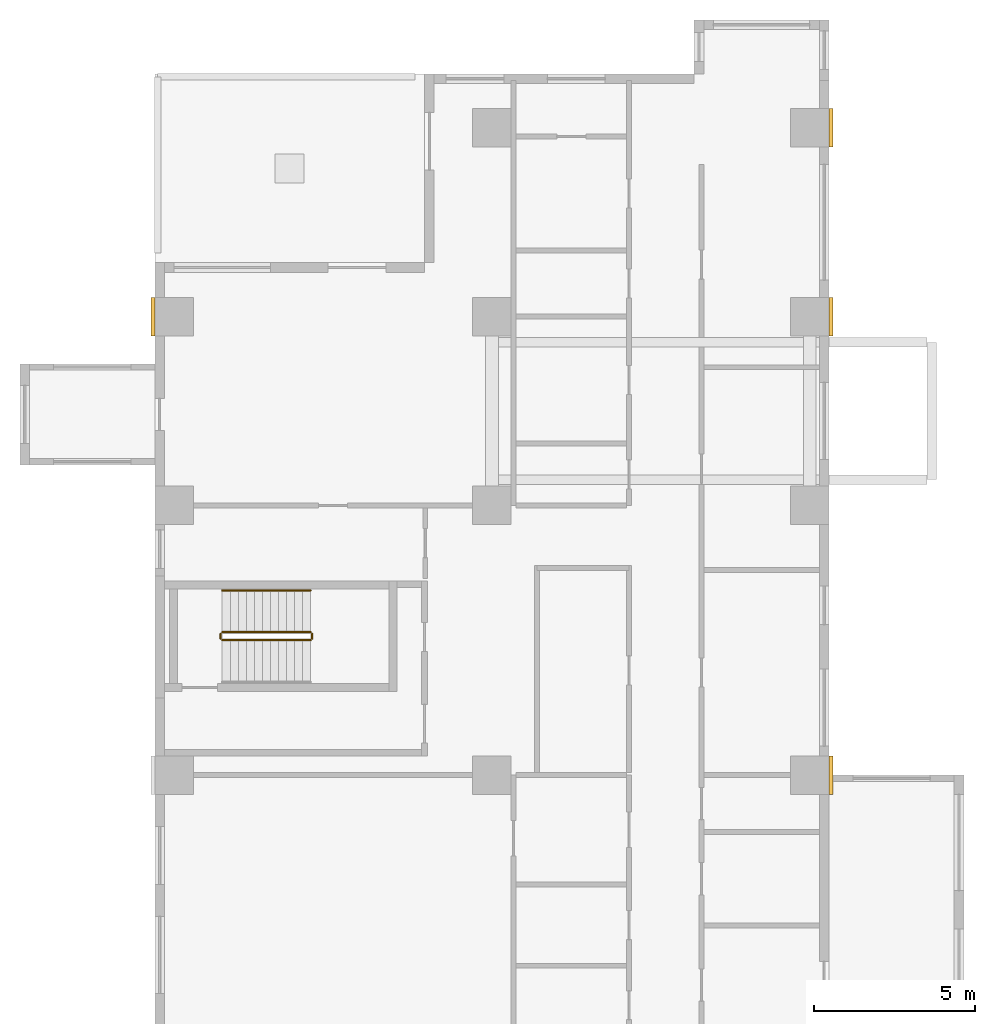
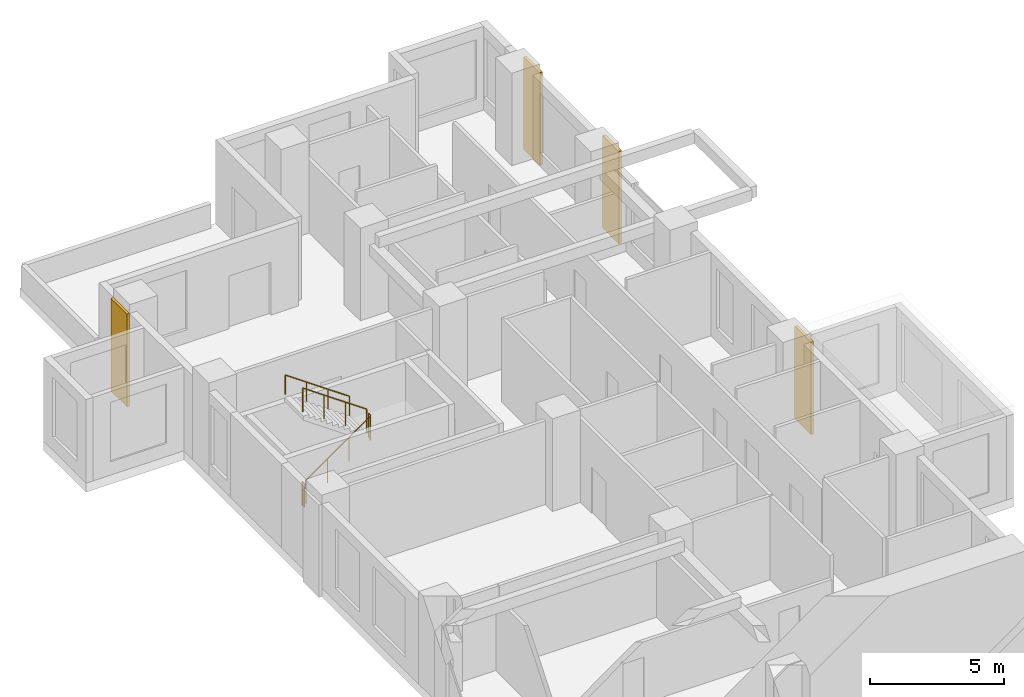
# One storey, part 14 of 15: 5 railings, 4 coverings.
"""IFC4 building model written with IfcOpenShell, lengths in metres."""

from ifc_helpers import new_model, si_unit, direction, frame, origin, origin_2d, place, context, subcontext, project, spatial, rectangle, circle, extrude, source, transform, mapped, material, type_object, element, save


model = new_model("IFC4")

# Units and contexts
model_context = context("Model", 3, precision=1e-05, world=origin(), true_north=direction((0.0, 1.0)))
body_context = subcontext(model_context, "Body", "Model", "MODEL_VIEW")
ifc_project = project(units=[si_unit("LENGTHUNIT", "METRE"), si_unit("AREAUNIT", "SQUARE_METRE"), si_unit("VOLUMEUNIT", "CUBIC_METRE"), si_unit("PLANEANGLEUNIT", "RADIAN"), si_unit("MASSUNIT", "GRAM", prefix="KILO")], contexts=[model_context])

# Site, building, storey
site_placement = place(None, origin())
site = spatial("IfcSite", under=ifc_project, at=site_placement, CompositionType="ELEMENT")
building_placement = place(site_placement, origin())
building = spatial("IfcBuilding", under=site, at=building_placement, Name="Aurelian Terraces", CompositionType="ELEMENT")
storey_placement = place(building_placement, frame((0.0, 0.0, 82.5)))
storey = spatial("IfcBuildingStorey", under=building, at=storey_placement, Name="L17", CompositionType="ELEMENT", Elevation=82.5)

# Coverings
ifc_material_1 = material(Name="Terracotta rainscreen cladding relief", Category="masonry")
covering_type = type_object("IfcCoveringType", Name="BAGUETTE-TC", PredefinedType="CLADDING", material=ifc_material_1)
shared_shape_1 = source(origin(), body_context, "Body", "SweptSolid", [
    extrude(rectangle(XDim=0.12, YDim=1.2, at=origin_2d()), origin(), (0.0, 0.0, 1.0), 4.2),
])
for number, where, z_axis, x_axis, name in (
    (1, (21.06, 37.8, -0.4), (0.0, 0.0, 1.0), (1.0, 0.0, 0.0), "BAGUETTE pier L17 11"),
    (2, (-0.06, 52.08, -0.4), (0.0, 0.0, 1.0), (1.0, 0.0, 0.0), "BAGUETTE pier L17 12"),
    (3, (21.06, 52.08, -0.4), (0.0, 0.0, 1.0), (1.0, 0.0, 0.0), "BAGUETTE pier L17 13"),
    (4, (21.06, 57.96, -0.4), (0.0, 0.0, 1.0), (1.0, 0.0, 0.0), "BAGUETTE pier L17 14"),
):
    element("IfcCovering", number, at=place(storey_placement, frame(where, z_axis=z_axis, x_axis=x_axis)), inside=storey, type_object=covering_type, Name=name, PredefinedType="CLADDING", context=body_context, shape_type="MappedRepresentation", body=[
        mapped(shared_shape_1, transform((0.0, 0.0, 0.0), scale=1.0)),
    ])

# Railings
ifc_material_2 = material(Name="Stainless steel", Category="steel")
railing_type_1 = type_object("IfcRailingType", Name="Stair guard 1100", PredefinedType="GUARDRAIL", material=ifc_material_2)
shared_shape_2 = source(origin(), body_context, "Body", "SweptSolid", [
    extrude(circle(Radius=0.024, at=origin_2d()), frame((0.0, 0.0, 1.076), z_axis=(0.0, 1.0, 0.0), x_axis=(-1.0, 0.0, 0.0)), (0.0, 0.0, 1.0), 0.15),
    extrude(circle(Radius=0.021, at=origin_2d()), origin(), (0.0, 0.0, 1.0), 1.052),
    extrude(circle(Radius=0.021, at=origin_2d()), frame((0.0, 0.15, 0.0)), (0.0, 0.0, 1.0), 1.052),
])
for number, where, name in (
    (5, (4.9, 42.05, 2.1), "L17 S3 stair guard 2"),
    (6, (2.05, 42.05, 0.0), "L17 S3 stair guard 4"),
):
    element("IfcRailing", number, at=place(storey_placement, frame(where)), inside=storey, type_object=railing_type_1, Name=name, PredefinedType="GUARDRAIL", context=body_context, shape_type="MappedRepresentation", body=[
        mapped(shared_shape_2, transform((0.0, 0.0, 0.0), scale=1.0)),
    ])
shared_shape_3 = source(origin(), body_context, "Body", "SweptSolid", [
    extrude(circle(Radius=0.024, at=origin_2d()), frame((0.0, 0.0, 1.076), z_axis=(0.819231920519, 0.0, 0.573462344363), x_axis=(0.0, 1.0, 0.0)), (0.0, 0.0, 1.0), 3.3568),
    extrude(circle(Radius=0.021, at=origin_2d()), origin(), (0.0, 0.0, 1.0), 1.052),
    extrude(circle(Radius=0.021, at=origin_2d()), frame((0.9167, 0.0, 0.6417)), (0.0, 0.0, 1.0), 1.052),
    extrude(circle(Radius=0.021, at=origin_2d()), frame((1.8333, 0.0, 1.2833)), (0.0, 0.0, 1.0), 1.052),
    extrude(circle(Radius=0.021, at=origin_2d()), frame((2.75, 0.0, 1.925)), (0.0, 0.0, 1.0), 1.052),
])
railing_1_placement = place(storey_placement, frame((2.1, 42.0, 0.175)))
element("IfcRailing", 7, at=railing_1_placement, inside=storey, type_object=railing_type_1, Name="L17 S3 stair guard 1", PredefinedType="GUARDRAIL", context=body_context, shape_type="MappedRepresentation", body=[
    mapped(shared_shape_3, transform((0.0, 0.0, 0.0), scale=1.0)),
])
shared_shape_4 = source(origin(), body_context, "Body", "SweptSolid", [
    extrude(circle(Radius=0.024, at=origin_2d()), frame((0.0, 0.0, 1.076), z_axis=(-0.819231920519, 0.0, 0.573462344363), x_axis=(0.0, -1.0, 0.0)), (0.0, 0.0, 1.0), 3.3568),
    extrude(circle(Radius=0.021, at=origin_2d()), origin(), (0.0, 0.0, 1.0), 1.052),
    extrude(circle(Radius=0.021, at=origin_2d()), frame((-0.9167, 0.0, 0.6417)), (0.0, 0.0, 1.0), 1.052),
    extrude(circle(Radius=0.021, at=origin_2d()), frame((-1.8333, 0.0, 1.2833)), (0.0, 0.0, 1.0), 1.052),
    extrude(circle(Radius=0.021, at=origin_2d()), frame((-2.75, 0.0, 1.925)), (0.0, 0.0, 1.0), 1.052),
])
railing_2_placement = place(storey_placement, frame((4.85, 42.25, 2.275)))
element("IfcRailing", 8, at=railing_2_placement, inside=storey, type_object=railing_type_1, Name="L17 S3 stair guard 3", PredefinedType="GUARDRAIL", context=body_context, shape_type="MappedRepresentation", body=[
    mapped(shared_shape_4, transform((0.0, 0.0, 0.0), scale=1.0)),
])
railing_type_2 = type_object("IfcRailingType", Name="Stair handrail", PredefinedType="HANDRAIL", material=ifc_material_2)
shared_shape_5 = source(origin(), body_context, "Body", "SweptSolid", [
    extrude(circle(Radius=0.024, at=origin_2d()), frame((0.0, 0.0, 0.876), z_axis=(-0.819231920519, 0.0, 0.573462344363), x_axis=(0.0, -1.0, 0.0)), (0.0, 0.0, 1.0), 3.3568),
    extrude(circle(Radius=0.021, at=origin_2d()), origin(), (0.0, 0.0, 1.0), 0.852),
    extrude(circle(Radius=0.021, at=origin_2d()), frame((-0.9167, 0.0, 0.6417)), (0.0, 0.0, 1.0), 0.852),
    extrude(circle(Radius=0.021, at=origin_2d()), frame((-1.8333, 0.0, 1.2833)), (0.0, 0.0, 1.0), 0.852),
    extrude(circle(Radius=0.021, at=origin_2d()), frame((-2.75, 0.0, 1.925)), (0.0, 0.0, 1.0), 0.852),
])
railing_3_placement = place(storey_placement, frame((4.85, 43.55, 2.275)))
element("IfcRailing", 9, at=railing_3_placement, inside=storey, type_object=railing_type_2, Name="L17 S3 stair handrail 2", PredefinedType="HANDRAIL", context=body_context, shape_type="MappedRepresentation", body=[
    mapped(shared_shape_5, transform((0.0, 0.0, 0.0), scale=1.0)),
])

save(model, "model.ifc")
